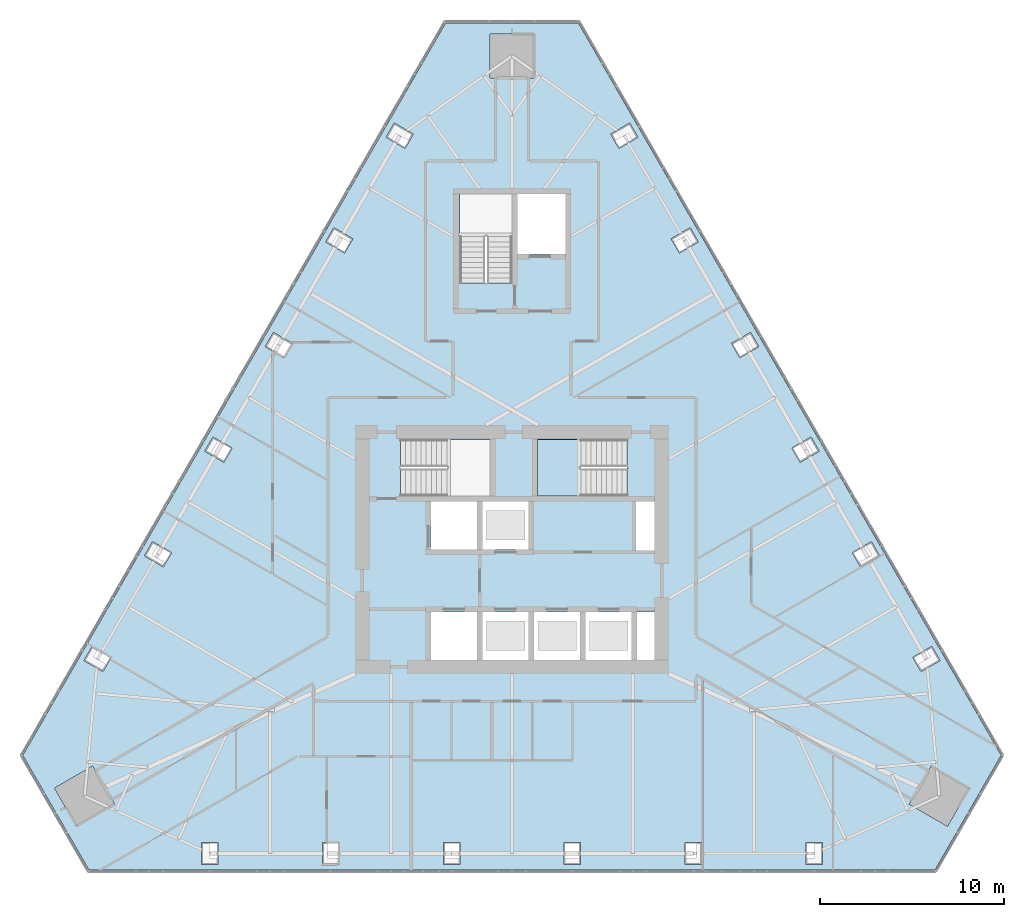
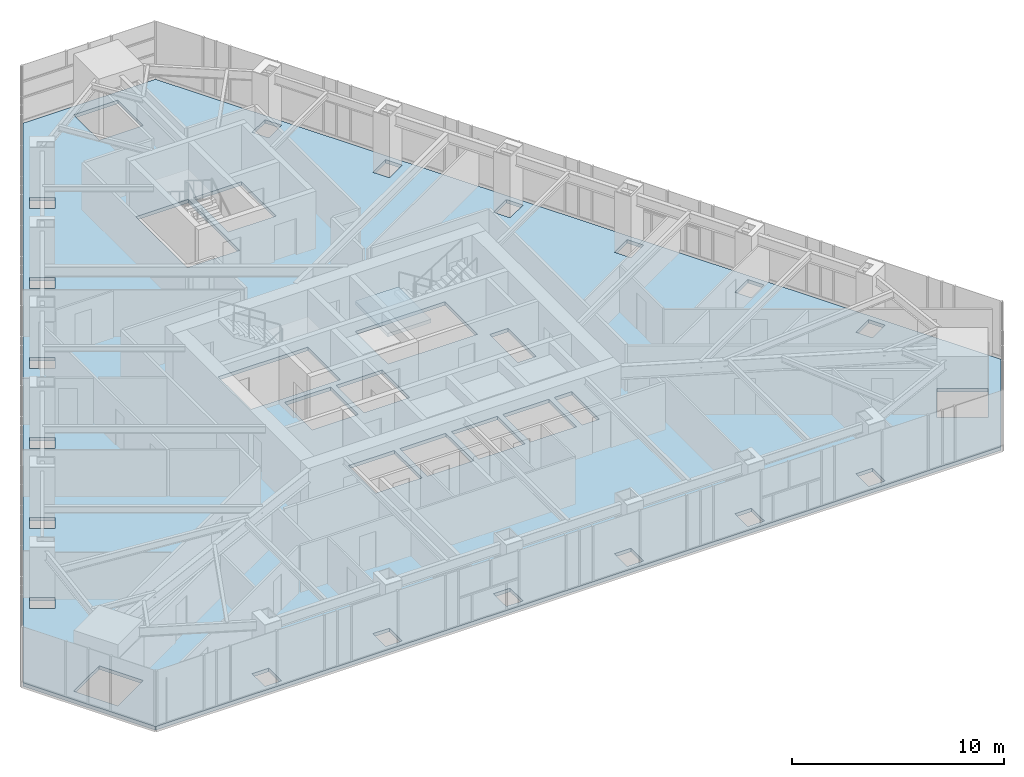
# One storey, part 12 of 20: 2 slabs, 1 element without a shape of its own.
"""IFC4 building model written with IfcOpenShell, lengths in metres."""

from ifc_helpers import new_model, si_unit, direction, frame, origin, place, context, subcontext, project, spatial, polyline, outline, extrude, material, layer, layer_set, type_object, element, aggregate, save


model = new_model("IFC4")

# Units and contexts
model_context = context("Model", 3, precision=1e-05, world=origin(), true_north=direction((0.0, 1.0)))
body_context = subcontext(model_context, "Body", "Model", "MODEL_VIEW")
ifc_project = project(units=[si_unit("LENGTHUNIT", "METRE"), si_unit("AREAUNIT", "SQUARE_METRE"), si_unit("VOLUMEUNIT", "CUBIC_METRE"), si_unit("PLANEANGLEUNIT", "RADIAN"), si_unit("MASSUNIT", "GRAM", prefix="KILO")], contexts=[model_context])

# Site, building, storey
site_placement = place(None, origin())
site = spatial("IfcSite", under=ifc_project, at=site_placement, CompositionType="ELEMENT")
building_placement = place(site_placement, origin())
building = spatial("IfcBuilding", under=site, at=building_placement, Name="Firuza Gate Tower and Library", CompositionType="ELEMENT")
storey_placement = place(building_placement, frame((0.0, 0.0, 277.60009765625)))
storey = spatial("IfcBuildingStorey", under=building, at=storey_placement, Name="L66", CompositionType="ELEMENT", Elevation=277.60009765625)

# Slab
ifc_material_1 = material(Name="Concrete C40/50", Category="concrete")
ifc_layer_1 = layer(ifc_material_1, 0.199951171875)
ifc_layer_set_1 = layer_set([ifc_layer_1], Name="Composite floor slab 200 C40/50")
slab_type_1 = type_object("IfcSlabType", Name="Composite floor slab 200 C40/50", PredefinedType="FLOOR", material=ifc_layer_set_1)
slab_1_placement = place(storey_placement, frame((0.0, 0.0, -0.2001953125)))
element("IfcSlab", 1, at=slab_1_placement, inside=storey, type_object=slab_type_1, Name="Floor slab L66", PredefinedType="FLOOR", context=body_context, shape_type="SweptSolid", body=[
    extrude(outline(polyline([(48.42138671875, 63.811767578125), (52.021240234375, 57.576416015625), (97.978759765625, 57.576416015625), (101.57861328125, 63.811767578125), (78.60009765625, 103.612060546875), (71.39990234375, 103.612060546875), (48.42138671875, 63.811767578125)]), holes=[polyline([(58.13671875, 57.876220703125), (58.13671875, 59.076416015625), (59.03662109375, 59.076416015625), (59.03662109375, 57.876220703125), (58.13671875, 57.876220703125)]), polyline([(64.701904296875, 57.876220703125), (64.701904296875, 59.076416015625), (65.60205078125, 59.076416015625), (65.60205078125, 57.876220703125), (64.701904296875, 57.876220703125)]), polyline([(71.267333984375, 57.876220703125), (71.267333984375, 59.076416015625), (72.167236328125, 59.076416015625), (72.167236328125, 57.876220703125), (71.267333984375, 57.876220703125)]), polyline([(50.140869140625, 62.033203125), (52.219482421875, 63.233154296875), (53.41943359375, 61.15478515625), (51.341064453125, 59.954833984375), (50.140869140625, 62.033203125)]), polyline([(52.188720703125, 69.737060546875), (53.22802734375, 69.13720703125), (52.778076171875, 68.357666015625), (51.73876953125, 68.957763671875), (52.188720703125, 69.737060546875)]), polyline([(73.10009765625, 69.0), (70.60009765625, 69.0), (70.60009765625, 71.60009765625), (73.10009765625, 71.60009765625), (73.10009765625, 69.0)]), polyline([(75.89990234375, 69.0), (73.39990234375, 69.0), (73.39990234375, 71.60009765625), (75.89990234375, 71.60009765625), (75.89990234375, 69.0)]), polyline([(55.471435546875, 75.4228515625), (56.5107421875, 74.822998046875), (56.060791015625, 74.04345703125), (55.021484375, 74.6435546875), (55.471435546875, 75.4228515625)]), polyline([(73.10009765625, 75.0), (70.60009765625, 75.0), (70.60009765625, 77.60009765625), (73.10009765625, 77.60009765625), (73.10009765625, 75.0)]), polyline([(75.89990234375, 75.0), (73.39990234375, 75.0), (73.39990234375, 77.60009765625), (75.89990234375, 77.60009765625), (75.89990234375, 75.0)]), polyline([(68.9404296875, 77.89990234375), (68.9404296875, 80.97998046875), (73.81005859375, 80.97998046875), (73.81005859375, 77.89990234375), (68.9404296875, 77.89990234375)]), polyline([(58.754150390625, 81.108642578125), (59.79345703125, 80.5087890625), (59.34326171875, 79.729248046875), (58.30419921875, 80.329345703125), (58.754150390625, 81.108642578125)]), polyline([(62.036865234375, 86.79443359375), (63.075927734375, 86.1943359375), (62.6259765625, 85.4150390625), (61.5869140625, 86.014892578125), (62.036865234375, 86.79443359375)]), polyline([(65.319580078125, 92.480224609375), (66.358642578125, 91.880126953125), (65.90869140625, 91.100830078125), (64.869384765625, 91.70068359375), (65.319580078125, 92.480224609375)]), polyline([(72.159912109375, 89.470458984375), (72.159912109375, 94.300048828125), (75.0, 94.300048828125), (75.0, 89.470458984375), (72.159912109375, 89.470458984375)]), polyline([(68.60205078125, 98.166015625), (69.641357421875, 97.56591796875), (69.19140625, 96.786376953125), (68.152099609375, 97.386474609375), (68.60205078125, 98.166015625)]), polyline([(76.199951171875, 103.011962890625), (76.199951171875, 100.612060546875), (73.800048828125, 100.612060546875), (73.800048828125, 103.011962890625), (76.199951171875, 103.011962890625)]), polyline([(77.832763671875, 57.876220703125), (77.832763671875, 59.076416015625), (78.732666015625, 59.076416015625), (78.732666015625, 57.876220703125), (77.832763671875, 57.876220703125)]), polyline([(84.39794921875, 57.876220703125), (84.39794921875, 59.076416015625), (85.298095703125, 59.076416015625), (85.298095703125, 57.876220703125), (84.39794921875, 57.876220703125)]), polyline([(90.96337890625, 57.876220703125), (90.96337890625, 59.076416015625), (91.86328125, 59.076416015625), (91.86328125, 57.876220703125), (90.96337890625, 57.876220703125)]), polyline([(98.658935546875, 59.954833984375), (96.58056640625, 61.15478515625), (97.780517578125, 63.233154296875), (99.859130859375, 62.033203125), (98.658935546875, 59.954833984375)]), polyline([(98.26123046875, 68.957763671875), (97.221923828125, 68.357666015625), (96.77197265625, 69.13720703125), (97.811279296875, 69.737060546875), (98.26123046875, 68.957763671875)]), polyline([(78.699951171875, 69.0), (76.199951171875, 69.0), (76.199951171875, 71.60009765625), (78.699951171875, 71.60009765625), (78.699951171875, 69.0)]), polyline([(81.5, 69.0), (79.0, 69.0), (79.0, 71.60009765625), (81.5, 71.60009765625), (81.5, 69.0)]), polyline([(82.75, 69.0), (81.800048828125, 69.0), (81.800048828125, 71.60009765625), (82.75, 71.60009765625), (82.75, 69.0)]), polyline([(94.978515625, 74.6435546875), (93.939208984375, 74.04345703125), (93.4892578125, 74.822998046875), (94.528564453125, 75.4228515625), (94.978515625, 74.6435546875)]), polyline([(82.75, 74.949951171875), (81.75, 74.949951171875), (81.75, 77.60009765625), (82.75, 77.60009765625), (82.75, 74.949951171875)]), polyline([(81.259521484375, 80.97998046875), (81.259521484375, 77.89990234375), (76.389892578125, 77.89990234375), (76.389892578125, 80.97998046875), (81.259521484375, 80.97998046875)]), polyline([(91.69580078125, 80.329345703125), (90.65673828125, 79.729248046875), (90.20654296875, 80.5087890625), (91.245849609375, 81.108642578125), (91.69580078125, 80.329345703125)]), polyline([(88.4130859375, 86.014892578125), (87.3740234375, 85.4150390625), (86.924072265625, 86.1943359375), (87.963134765625, 86.79443359375), (88.4130859375, 86.014892578125)]), polyline([(85.130615234375, 91.70068359375), (84.09130859375, 91.100830078125), (83.641357421875, 91.880126953125), (84.680419921875, 92.480224609375), (85.130615234375, 91.70068359375)]), polyline([(75.300048828125, 91.050048828125), (75.300048828125, 94.300048828125), (77.89990234375, 94.300048828125), (77.89990234375, 91.050048828125), (75.300048828125, 91.050048828125)]), polyline([(80.80859375, 96.786376953125), (80.358642578125, 97.56591796875), (81.39794921875, 98.166015625), (81.847900390625, 97.386474609375), (80.80859375, 96.786376953125)])]), origin(), (0.0, 0.0, 1.0), 0.2001953125),
])

# Stair, slab
ifc_material_2 = material(Name="Concrete C35/45", Category="concrete")
stair_type = type_object("IfcStairType", Name="Exit stair ST8", PredefinedType="HALF_TURN_STAIR", material=ifc_material_2)
stair_placement = place(storey_placement, origin())
stair = element("IfcStair", 2, at=stair_placement, inside=storey, type_object=stair_type, Name="L66 Stair ST2", PredefinedType="HALF_TURN_STAIR")
ifc_material_3 = material(Name="Concrete C35/45", Category="concrete")
ifc_layer_2 = layer(ifc_material_3, 0.199951171875)
ifc_layer_set_2 = layer_set([ifc_layer_2], Name="Stair landing 200")
slab_type_2 = type_object("IfcSlabType", Name="Stair landing 200", PredefinedType="LANDING", material=ifc_layer_set_2)
slab_2_placement = place(storey_placement, frame((0.0, 0.0, 1.5498046875)))
slab_2 = element("IfcSlab", 3, at=slab_2_placement, type_object=slab_type_2, Name="ST2 landing 1", PredefinedType="LANDING", context=body_context, shape_type="SweptSolid", body=[
    extrude(outline(polyline([(78.739990234375, 80.97998046875), (76.389892578125, 80.97998046875), (76.389892578125, 77.89990234375), (78.739990234375, 77.89990234375), (78.739990234375, 80.97998046875)])), origin(), (0.0, 0.0, 1.0), 0.2001953125),
])
aggregate(stair, [slab_2])

save(model, "model.ifc")
